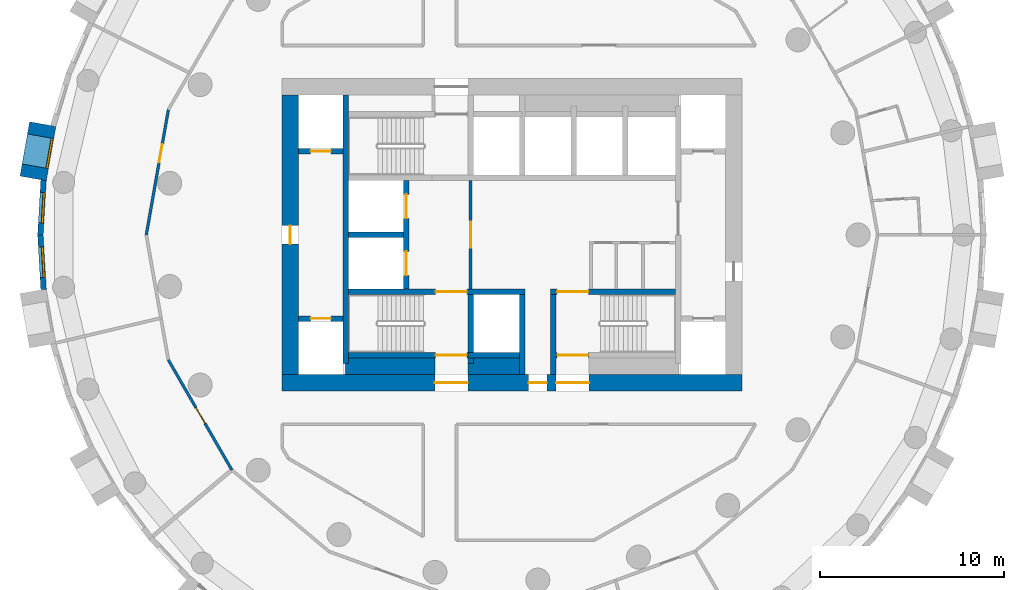
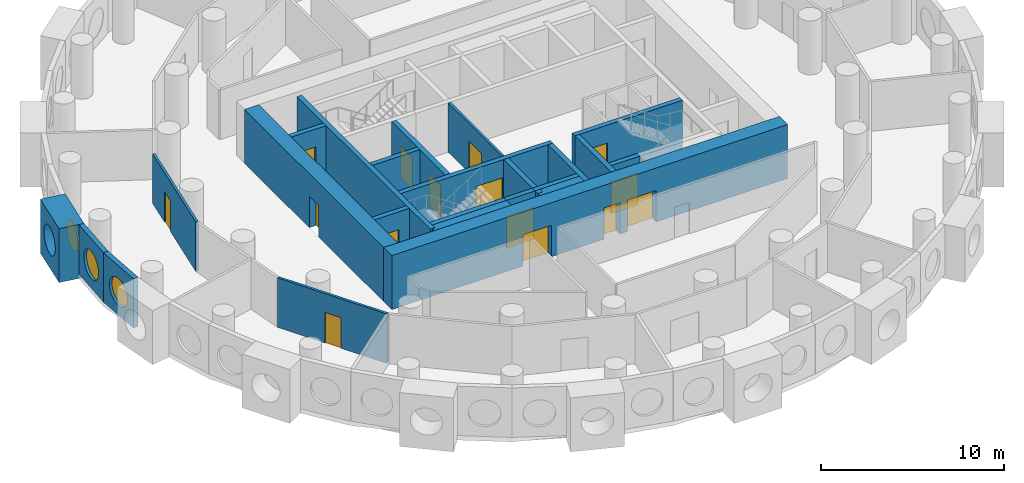
# One storey, part 3 of 9: 24 walls, 15 doors, 3 windows, 18 openings.
"""IFC4 building model written with IfcOpenShell, lengths in metres."""

from ifc_helpers import new_model, si_unit, direction, frame, frame_2d, origin, origin_2d, place, context, subcontext, project, spatial, rectangle, circle, extrude, material, layer, layer_set, type_object, element, fill, save


model = new_model("IFC4")

# Units and contexts
model_context = context("Model", 3, precision=1e-05, world=origin(), true_north=direction((0.0, 1.0)))
body_context = subcontext(model_context, "Body", "Model", "MODEL_VIEW")
ifc_project = project(units=[si_unit("LENGTHUNIT", "METRE"), si_unit("AREAUNIT", "SQUARE_METRE"), si_unit("VOLUMEUNIT", "CUBIC_METRE"), si_unit("PLANEANGLEUNIT", "RADIAN"), si_unit("MASSUNIT", "GRAM", prefix="KILO")], contexts=[model_context])

# Site, building, storey
site_placement = place(None, origin())
site = spatial("IfcSite", under=ifc_project, at=site_placement, CompositionType="ELEMENT")
building_placement = place(site_placement, origin())
building = spatial("IfcBuilding", under=site, at=building_placement, Name="Tracery Tower", CompositionType="ELEMENT")
storey_placement = place(building_placement, frame((0.0, 0.0, 162.0)))
storey = spatial("IfcBuildingStorey", under=building, at=storey_placement, Name="L41", CompositionType="ELEMENT", Elevation=162.0)

# Wall, opening, door
ifc_material_1 = material(Name="Plasterboard on steel studs", Category="steel")
ifc_layer_1 = layer(ifc_material_1, 0.14990234375)
ifc_layer_set_1 = layer_set([ifc_layer_1], Name="Core lobby partition 150")
wall_type_1 = type_object("IfcWallType", Name="Core lobby partition 150", PredefinedType="SOLIDWALL", material=ifc_layer_set_1)
wall_1_placement = place(storey_placement, frame((-2.25, -2.949951171875, 0.0), z_axis=(0.0, 0.0, 1.0), x_axis=(0.0, 1.0, 0.0)))
wall_1 = element("IfcWall", 1, at=wall_1_placement, inside=storey, type_object=wall_type_1, Name="L41 FF lobby E", PredefinedType="SOLIDWALL", context=body_context, shape_type="SweptSolid", body=[
    extrude(rectangle(XDim=5.89990234375, YDim=0.14990234375, at=frame_2d((2.949951171875, 0.0))), origin(), (0.0, 0.0, 1.0), 3.300048828125),
])
opening_1_placement = place(wall_1_placement, frame((2.25, 0.0, 0.0)))
opening_1 = element("IfcOpeningElement", 2, at=opening_1_placement, cuts=wall_1, Name="Opening KD8", PredefinedType="OPENING", context=body_context, shape_type="SweptSolid", body=[
    extrude(rectangle(XDim=1.39990234375, YDim=2.10009765625, at=frame_2d((0.699951171875, 1.050048828125))), frame((0.0, 0.074951171875, 0.0), z_axis=(0.0, -1.0, 0.0), x_axis=(1.0, 0.0, 0.0)), (0.0, 0.0, 1.0), 0.14990234375),
])
ifc_material_2 = material(Name="Steel fire door", Category="steel")
door_type_1 = type_object("IfcDoorType", Name="Core lobby door 1400 double", OperationType="NOTDEFINED", PredefinedType="DOOR", material=ifc_material_2)
door_1_placement = place(opening_1_placement, origin())
door_1 = element("IfcDoor", 3, at=door_1_placement, inside=storey, type_object=door_type_1, Name="Fire-fighting lobby door", OperationType="DOUBLE_DOOR_SINGLE_SWING", OverallHeight=2.10009765625, OverallWidth=1.39990234375, PredefinedType="DOOR", context=body_context, shape_type="SweptSolid", body=[
    extrude(rectangle(XDim=1.39990234375, YDim=2.10009765625, at=frame_2d((0.699951171875, 1.050048828125))), frame((0.0, 0.02490234375, 0.0), z_axis=(0.0, -1.0, 0.0), x_axis=(1.0, 0.0, 0.0)), (0.0, 0.0, 1.0), 0.050048828125),
])
fill(opening_1, door_1)

# Walls
ifc_material_3 = material(Name="Concrete C50/60", Category="concrete")
ifc_layer_2 = layer(ifc_material_3, 0.89990234375)
ifc_layer_set_2 = layer_set([ifc_layer_2], Name="Core strip wall 900 C50")
wall_type_2 = type_object("IfcWallType", Name="Core strip wall 900 C50", PredefinedType="SOLIDWALL", material=ifc_layer_set_2)
wall_2_placement = place(storey_placement, frame((-9.050048828125, -7.14990234375, 0.0), z_axis=(0.0, 0.0, 1.0), x_axis=(1.0, 0.0, 0.0)))
element("IfcWall", 4, at=wall_2_placement, inside=storey, type_object=wall_type_2, Name="L41 F thick S W", PredefinedType="SOLIDWALL", context=body_context, shape_type="SweptSolid", body=[
    extrude(rectangle(XDim=4.85009765625, YDim=0.89990234375, at=frame_2d((2.425048828125, 0.0))), origin(), (0.0, 0.0, 1.0), 3.300048828125),
])
wall_3_placement = place(storey_placement, frame((-2.39990234375, -7.14990234375, 0.0), z_axis=(0.0, 0.0, 1.0), x_axis=(1.0, 0.0, 0.0)))
element("IfcWall", 5, at=wall_3_placement, inside=storey, type_object=wall_type_2, Name="L41 F thick S mid", PredefinedType="SOLIDWALL", context=body_context, shape_type="SweptSolid", body=[
    extrude(rectangle(XDim=2.7998046875, YDim=0.89990234375, at=frame_2d((1.39990234375, 0.0))), origin(), (0.0, 0.0, 1.0), 3.300048828125),
])

# Wall, openings, doors
ifc_material_4 = material(Name="Concrete C50/60", Category="concrete")
ifc_layer_3 = layer(ifc_material_4, 0.89990234375)
ifc_layer_set_3 = layer_set([ifc_layer_3], Name="Core wall 900 C50")
wall_type_3 = type_object("IfcWallType", Name="Core wall 900 C50", PredefinedType="SOLIDWALL", material=ifc_layer_set_3)
wall_4_placement = place(storey_placement, frame((-12.5, -8.050048828125, 0.0), z_axis=(0.0, 0.0, 1.0), x_axis=(1.0, 0.0, 0.0)))
wall_4 = element("IfcWall", 6, at=wall_4_placement, inside=storey, type_object=wall_type_3, Name="L41 outer S", PredefinedType="SOLIDWALL", context=body_context, shape_type="SweptSolid", body=[
    extrude(rectangle(XDim=25.0, YDim=0.89990234375, at=frame_2d((12.5, 0.0))), origin(), (0.0, 0.0, 1.0), 3.60009765625),
])
opening_2_placement = place(wall_4_placement, frame((13.39990234375, 0.0, 0.0)))
opening_2 = element("IfcOpeningElement", 7, at=opening_2_placement, cuts=wall_4, Name="Opening KD16", PredefinedType="OPENING", context=body_context, shape_type="SweptSolid", body=[
    extrude(rectangle(XDim=1.0, YDim=2.10009765625, at=frame_2d((0.5, 1.050048828125))), frame((0.0, 0.449951171875, 0.0), z_axis=(0.0, -1.0, 0.0), x_axis=(1.0, 0.0, 0.0)), (0.0, 0.0, 1.0), 0.89990234375),
])
opening_3_placement = place(wall_4_placement, frame((8.300048828125, 0.0, 0.0)))
opening_3 = element("IfcOpeningElement", 8, at=opening_3_placement, cuts=wall_4, Name="Opening KD13", PredefinedType="OPENING", context=body_context, shape_type="SweptSolid", body=[
    extrude(rectangle(XDim=1.800048828125, YDim=2.10009765625, at=frame_2d((0.89990234375, 1.050048828125))), frame((0.0, 0.449951171875, 0.0), z_axis=(0.0, -1.0, 0.0), x_axis=(1.0, 0.0, 0.0)), (0.0, 0.0, 1.0), 0.89990234375),
])
opening_4_placement = place(wall_4_placement, frame((14.89990234375, 0.0, 0.0)))
opening_4 = element("IfcOpeningElement", 9, at=opening_4_placement, cuts=wall_4, Name="Opening KD13", PredefinedType="OPENING", context=body_context, shape_type="SweptSolid", body=[
    extrude(rectangle(XDim=1.800048828125, YDim=2.10009765625, at=frame_2d((0.89990234375, 1.050048828125))), frame((0.0, 0.449951171875, 0.0), z_axis=(0.0, -1.0, 0.0), x_axis=(1.0, 0.0, 0.0)), (0.0, 0.0, 1.0), 0.89990234375),
])
ifc_material_5 = material(Name="Steel fire door", Category="steel")
door_type_2 = type_object("IfcDoorType", Name="Core exit door 1000", OperationType="NOTDEFINED", PredefinedType="DOOR", material=ifc_material_5)
door_2_placement = place(opening_2_placement, origin())
door_2 = element("IfcDoor", 10, at=door_2_placement, inside=storey, type_object=door_type_2, Name="Core exit door", OperationType="SINGLE_SWING_LEFT", OverallHeight=2.10009765625, OverallWidth=1.0, PredefinedType="DOOR", context=body_context, shape_type="SweptSolid", body=[
    extrude(rectangle(XDim=1.0, YDim=2.10009765625, at=frame_2d((0.5, 1.050048828125))), frame((0.0, 0.02490234375, 0.0), z_axis=(0.0, -1.0, 0.0), x_axis=(1.0, 0.0, 0.0)), (0.0, 0.0, 1.0), 0.050048828125),
])
fill(opening_2, door_2)
ifc_material_6 = material(Name="Steel fire door", Category="steel")
door_type_3 = type_object("IfcDoorType", Name="Core exit door 1800 double", OperationType="NOTDEFINED", PredefinedType="DOOR", material=ifc_material_6)
door_3_placement = place(opening_3_placement, origin())
door_3 = element("IfcDoor", 11, at=door_3_placement, inside=storey, type_object=door_type_3, Name="Core exit door", OperationType="DOUBLE_DOOR_SINGLE_SWING", OverallHeight=2.10009765625, OverallWidth=1.800048828125, PredefinedType="DOOR", context=body_context, shape_type="SweptSolid", body=[
    extrude(rectangle(XDim=1.800048828125, YDim=2.10009765625, at=frame_2d((0.89990234375, 1.050048828125))), frame((0.0, 0.02490234375, 0.0), z_axis=(0.0, -1.0, 0.0), x_axis=(1.0, 0.0, 0.0)), (0.0, 0.0, 1.0), 0.050048828125),
])
fill(opening_3, door_3)
door_4_placement = place(opening_4_placement, origin())
door_4 = element("IfcDoor", 12, at=door_4_placement, inside=storey, type_object=door_type_3, Name="Core exit door", OperationType="DOUBLE_DOOR_SINGLE_SWING", OverallHeight=2.10009765625, OverallWidth=1.800048828125, PredefinedType="DOOR", context=body_context, shape_type="SweptSolid", body=[
    extrude(rectangle(XDim=1.800048828125, YDim=2.10009765625, at=frame_2d((0.89990234375, 1.050048828125))), frame((0.0, 0.02490234375, 0.0), z_axis=(0.0, -1.0, 0.0), x_axis=(1.0, 0.0, 0.0)), (0.0, 0.0, 1.0), 0.050048828125),
])
fill(opening_4, door_4)

# Wall, opening, door
wall_5_placement = place(storey_placement, frame((-12.050048828125, -7.60009765625, 0.0), z_axis=(0.0, 0.0, 1.0), x_axis=(0.0, 1.0, 0.0)))
wall_5 = element("IfcWall", 13, at=wall_5_placement, inside=storey, type_object=wall_type_3, Name="L41 outer W", PredefinedType="SOLIDWALL", context=body_context, shape_type="SweptSolid", body=[
    extrude(rectangle(XDim=15.2001953125, YDim=0.89990234375, at=frame_2d((7.60009765625, 0.0))), origin(), (0.0, 0.0, 1.0), 3.60009765625),
])
opening_5_placement = place(wall_5_placement, frame((7.10009765625, 0.0, 0.0)))
opening_5 = element("IfcOpeningElement", 14, at=opening_5_placement, cuts=wall_5, Name="Opening KD18", PredefinedType="OPENING", context=body_context, shape_type="SweptSolid", body=[
    extrude(rectangle(XDim=1.0, YDim=2.10009765625, at=frame_2d((0.5, 1.050048828125))), frame((0.0, 0.449951171875, 0.0), z_axis=(0.0, -1.0, 0.0), x_axis=(1.0, 0.0, 0.0)), (0.0, 0.0, 1.0), 0.89990234375),
])
door_5_placement = place(opening_5_placement, origin())
door_5 = element("IfcDoor", 15, at=door_5_placement, inside=storey, type_object=door_type_2, Name="Core exit door", OperationType="DOUBLE_DOOR_SINGLE_SWING", OverallHeight=2.10009765625, OverallWidth=1.0, PredefinedType="DOOR", context=body_context, shape_type="SweptSolid", body=[
    extrude(rectangle(XDim=1.0, YDim=2.10009765625, at=frame_2d((0.5, 1.050048828125))), frame((0.0, 0.02490234375, 0.0), z_axis=(0.0, -1.0, 0.0), x_axis=(1.0, 0.0, 0.0)), (0.0, 0.0, 1.0), 0.050048828125),
])
fill(opening_5, door_5)

# Wall, opening, window
ifc_material_7 = material(Name="Precast concrete C50/60", Category="concrete")
ifc_layer_4 = layer(ifc_material_7, 1.449951171875)
ifc_layer_set_4 = layer_set([ifc_layer_4], Name="Deep-set bay unit 3000 x 3600, slab edge 300")
wall_type_4 = type_object("IfcWallType", Name="Deep-set bay unit 3000 x 3600, slab edge 300", PredefinedType="ELEMENTEDWALL", material=ifc_layer_set_4)
wall_6_placement = place(storey_placement, frame((-25.520751953125, 6.023193359375, -0.300048828125), z_axis=(0.0, 0.0, 1.0), x_axis=(-0.173669267716, -0.984804034035, 0.0)))
wall_6 = element("IfcWall", 16, at=wall_6_placement, inside=storey, type_object=wall_type_4, Name="Deep-set bay unit 26 at L41", PredefinedType="ELEMENTEDWALL", context=body_context, shape_type="SweptSolid", body=[
    extrude(rectangle(XDim=3.0, YDim=1.449951171875, at=frame_2d((1.5, 0.0))), origin(), (0.0, 0.0, 1.0), 3.60009765625),
])
opening_6_placement = place(wall_6_placement, frame((1.5, 0.0, 1.85009765625)))
opening_6 = element("IfcOpeningElement", 17, at=opening_6_placement, cuts=wall_6, Name="Opening WN1", PredefinedType="OPENING", context=body_context, shape_type="SweptSolid", body=[
    extrude(circle(Radius=0.9000244140625, at=origin_2d()), frame((0.0, 0.73486328125, 0.0), z_axis=(0.0, -1.0, 0.0), x_axis=(1.0, 0.0, 0.0)), (0.0, 0.0, 1.0), 1.469970703125),
])
ifc_material_8 = material(Name="Aluminium frame with tinted double glazing", Category="aluminium")
window_type = type_object("IfcWindowType", Name="Round window 1800", PartitioningType="SINGLE_PANEL", PredefinedType="WINDOW", material=ifc_material_8)
window_1_placement = place(opening_6_placement, origin())
window_1 = element("IfcWindow", 18, at=window_1_placement, inside=storey, type_object=window_type, Name="Round window 26 at L41", OverallHeight=1.800048828125, OverallWidth=1.800048828125, PartitioningType="SINGLE_PANEL", PredefinedType="WINDOW", context=body_context, shape_type="SweptSolid", body=[
    extrude(circle(Radius=0.9000244140625, at=origin_2d()), frame((0.0, 0.69482421875, 0.0), z_axis=(0.0, -1.0, 0.0), x_axis=(1.0, 0.0, 0.0)), (0.0, 0.0, 1.0), 0.10009765625),
])
fill(opening_6, window_1)

ifc_material_9 = material(Name="Precast concrete C50/60", Category="concrete")
ifc_layer_5 = layer(ifc_material_9, 0.300048828125)
ifc_layer_set_5 = layer_set([ifc_layer_5], Name="Facade panel 3000 x 3300")
wall_type_5 = type_object("IfcWallType", Name="Facade panel 3000 x 3300", PredefinedType="SOLIDWALL", material=ifc_layer_set_5)
wall_7_placement = place(storey_placement, frame((-25.474609375, 2.9677734375, 0.0), z_axis=(0.0, 0.0, 1.0), x_axis=(-0.058144307138, -0.998308188661, 0.0)))
wall_7 = element("IfcWall", 19, at=wall_7_placement, inside=storey, type_object=wall_type_5, Name="Facade panel 27 at L41", PredefinedType="SOLIDWALL", context=body_context, shape_type="SweptSolid", body=[
    extrude(rectangle(XDim=2.972900390625, YDim=0.300048828125, at=frame_2d((1.486328125, 0.0))), origin(), (0.0, 0.0, 1.0), 3.300048828125),
])
opening_7_placement = place(wall_7_placement, frame((1.486328125, 0.0, 1.5498046875)))
opening_7 = element("IfcOpeningElement", 20, at=opening_7_placement, cuts=wall_7, Name="Opening WN1", PredefinedType="OPENING", context=body_context, shape_type="SweptSolid", body=[
    extrude(circle(Radius=0.9000244140625, at=origin_2d()), frame((0.0, 0.159912109375, 0.0), z_axis=(0.0, -1.0, 0.0), x_axis=(1.0, 0.0, 0.0)), (0.0, 0.0, 1.0), 0.320068359375),
])
window_2_placement = place(opening_7_placement, origin())
window_2 = element("IfcWindow", 21, at=window_2_placement, inside=storey, type_object=window_type, Name="Round window 27 at L41", OverallHeight=1.800048828125, OverallWidth=1.800048828125, PartitioningType="SINGLE_PANEL", PredefinedType="WINDOW", context=body_context, shape_type="SweptSolid", body=[
    extrude(circle(Radius=0.9000244140625, at=origin_2d()), frame((0.0, 0.1201171875, 0.0), z_axis=(0.0, -1.0, 0.0), x_axis=(1.0, 0.0, 0.0)), (0.0, 0.0, 1.0), 0.10009765625),
])
fill(opening_7, window_2)

wall_8_placement = place(storey_placement, frame((-25.6474609375, 0.0, 0.0), z_axis=(0.0, 0.0, 1.0), x_axis=(0.058144307138, -0.998308188661, 0.0)))
wall_8 = element("IfcWall", 22, at=wall_8_placement, inside=storey, type_object=wall_type_5, Name="Facade panel 28 at L41", PredefinedType="SOLIDWALL", context=body_context, shape_type="SweptSolid", body=[
    extrude(rectangle(XDim=2.972900390625, YDim=0.300048828125, at=frame_2d((1.486328125, 0.0))), origin(), (0.0, 0.0, 1.0), 3.300048828125),
])
opening_8_placement = place(wall_8_placement, frame((1.486328125, 0.0, 1.5498046875)))
opening_8 = element("IfcOpeningElement", 23, at=opening_8_placement, cuts=wall_8, Name="Opening WN1", PredefinedType="OPENING", context=body_context, shape_type="SweptSolid", body=[
    extrude(circle(Radius=0.9000244140625, at=origin_2d()), frame((0.0, 0.159912109375, 0.0), z_axis=(0.0, -1.0, 0.0), x_axis=(1.0, 0.0, 0.0)), (0.0, 0.0, 1.0), 0.320068359375),
])
window_3_placement = place(opening_8_placement, origin())
window_3 = element("IfcWindow", 24, at=window_3_placement, inside=storey, type_object=window_type, Name="Round window 28 at L41", OverallHeight=1.800048828125, OverallWidth=1.800048828125, PartitioningType="SINGLE_PANEL", PredefinedType="WINDOW", context=body_context, shape_type="SweptSolid", body=[
    extrude(circle(Radius=0.9000244140625, at=origin_2d()), frame((0.0, 0.1201171875, 0.0), z_axis=(0.0, -1.0, 0.0), x_axis=(1.0, 0.0, 0.0)), (0.0, 0.0, 1.0), 0.10009765625),
])
fill(opening_8, window_3)

# Wall, opening, door
ifc_material_10 = material(Name="Plasterboard on steel studs", Category="steel")
ifc_layer_6 = layer(ifc_material_10, 0.14990234375)
ifc_layer_set_6 = layer_set([ifc_layer_6], Name="Partition 150 corridor wall")
wall_type_6 = type_object("IfcWallType", Name="Partition 150 corridor wall", PredefinedType="PARTITIONING", material=ifc_layer_set_6)
wall_9_placement = place(storey_placement, frame((-19.887939453125, 0.0, 0.0), z_axis=(0.0, 0.0, 1.0), x_axis=(0.173728873845, 0.98479352069, 0.0)))
wall_9 = element("IfcWall", 25, at=wall_9_placement, inside=storey, type_object=wall_type_6, Name="Corridor wall RB4-028", PredefinedType="PARTITIONING", context=body_context, shape_type="SweptSolid", body=[
    extrude(rectangle(XDim=6.906982421875, YDim=0.14990234375, at=frame_2d((3.45361328125, 0.0))), origin(), (0.0, 0.0, 1.0), 3.300048828125),
])
opening_9_placement = place(wall_9_placement, frame((4.00390625, 0.0, 0.0)))
opening_9 = element("IfcOpeningElement", 26, at=opening_9_placement, cuts=wall_9, Name="Opening RB4-23", PredefinedType="OPENING", context=body_context, shape_type="SweptSolid", body=[
    extrude(rectangle(XDim=1.0, YDim=2.0400390625, at=frame_2d((0.5, 1.02001953125))), frame((0.0, 0.074951171875, 0.0), z_axis=(0.0, -1.0, 0.0), x_axis=(1.0, 0.0, 0.0)), (0.0, 0.0, 1.0), 0.14990234375),
])
ifc_material_11 = material(Name="Timber door leaf", Category="wood")
door_type_4 = type_object("IfcDoorType", Name="Door communal room 1000", OperationType="NOTDEFINED", PredefinedType="DOOR", material=ifc_material_11)
door_6_placement = place(opening_9_placement, origin())
door_6 = element("IfcDoor", 27, at=door_6_placement, inside=storey, type_object=door_type_4, Name="Communal room door RB4-23", OperationType="SINGLE_SWING_RIGHT", OverallHeight=2.0400390625, OverallWidth=1.0, PredefinedType="DOOR", context=body_context, shape_type="SweptSolid", body=[
    extrude(rectangle(XDim=1.0, YDim=2.0400390625, at=frame_2d((0.5, 1.02001953125))), frame((0.0, 0.02490234375, 0.0), z_axis=(0.0, -1.0, 0.0), x_axis=(1.0, 0.0, 0.0)), (0.0, 0.0, 1.0), 0.050048828125),
])
fill(opening_9, door_6)

wall_10_placement = place(storey_placement, frame((-18.68798828125, -6.802001953125, 0.0), z_axis=(0.0, 0.0, 1.0), x_axis=(0.499914202267, -0.866074933462, 0.0)))
wall_10 = element("IfcWall", 28, at=wall_10_placement, inside=storey, type_object=wall_type_6, Name="Corridor wall RB4-029", PredefinedType="PARTITIONING", context=body_context, shape_type="SweptSolid", body=[
    extrude(rectangle(XDim=6.906982421875, YDim=0.14990234375, at=frame_2d((3.45361328125, 0.0))), origin(), (0.0, 0.0, 1.0), 3.300048828125),
])
opening_10_placement = place(wall_10_placement, frame((3.003173828125, 0.0, 0.0)))
opening_10 = element("IfcOpeningElement", 29, at=opening_10_placement, cuts=wall_10, Name="Opening RB4-24", PredefinedType="OPENING", context=body_context, shape_type="SweptSolid", body=[
    extrude(rectangle(XDim=1.0, YDim=2.0400390625, at=frame_2d((0.5, 1.02001953125))), frame((0.0, 0.074951171875, 0.0), z_axis=(0.0, -1.0, 0.0), x_axis=(1.0, 0.0, 0.0)), (0.0, 0.0, 1.0), 0.14990234375),
])
door_7_placement = place(opening_10_placement, origin())
door_7 = element("IfcDoor", 30, at=door_7_placement, inside=storey, type_object=door_type_4, Name="Communal room door RB4-24", OperationType="SINGLE_SWING_LEFT", OverallHeight=2.0400390625, OverallWidth=1.0, PredefinedType="DOOR", context=body_context, shape_type="SweptSolid", body=[
    extrude(rectangle(XDim=1.0, YDim=2.0400390625, at=frame_2d((0.5, 1.02001953125))), frame((0.0, 0.02490234375, 0.0), z_axis=(0.0, -1.0, 0.0), x_axis=(1.0, 0.0, 0.0)), (0.0, 0.0, 1.0), 0.050048828125),
])
fill(opening_10, door_7)

# Wall
ifc_material_12 = material(Name="Concrete C50/60", Category="concrete")
ifc_layer_7 = layer(ifc_material_12, 0.300048828125)
ifc_layer_set_7 = layer_set([ifc_layer_7], Name="Shaft wall 300 C50")
wall_type_7 = type_object("IfcWallType", Name="Shaft wall 300 C50", PredefinedType="SOLIDWALL", material=ifc_layer_set_7)
wall_11_placement = place(storey_placement, frame((-8.89990234375, 0.0, 0.0), z_axis=(0.0, 0.0, 1.0), x_axis=(1.0, 0.0, 0.0)))
element("IfcWall", 31, at=wall_11_placement, inside=storey, type_object=wall_type_7, Name="L41 FF split", PredefinedType="SOLIDWALL", context=body_context, shape_type="SweptSolid", body=[
    extrude(rectangle(XDim=3.0, YDim=0.300048828125, at=frame_2d((1.5, 0.0))), origin(), (0.0, 0.0, 1.0), 3.300048828125),
])

# Wall, openings, doors
wall_12_placement = place(storey_placement, frame((-5.75, -2.949951171875, 0.0), z_axis=(0.0, 0.0, 1.0), x_axis=(0.0, 1.0, 0.0)))
wall_12 = element("IfcWall", 32, at=wall_12_placement, inside=storey, type_object=wall_type_7, Name="L41 FF doors", PredefinedType="SOLIDWALL", context=body_context, shape_type="SweptSolid", body=[
    extrude(rectangle(XDim=5.89990234375, YDim=0.300048828125, at=frame_2d((2.949951171875, 0.0))), origin(), (0.0, 0.0, 1.0), 3.300048828125),
])
opening_11_placement = place(wall_12_placement, frame((0.75, 0.0, 0.0)))
opening_11 = element("IfcOpeningElement", 33, at=opening_11_placement, cuts=wall_12, Name="Opening KD54", PredefinedType="OPENING", context=body_context, shape_type="SweptSolid", body=[
    extrude(rectangle(XDim=1.300048828125, YDim=2.10009765625, at=frame_2d((0.64990234375, 1.050048828125))), frame((0.0, 0.14990234375, 0.0), z_axis=(0.0, -1.0, 0.0), x_axis=(1.0, 0.0, 0.0)), (0.0, 0.0, 1.0), 0.300048828125),
])
opening_12_placement = place(wall_12_placement, frame((3.85009765625, 0.0, 0.0)))
opening_12 = element("IfcOpeningElement", 34, at=opening_12_placement, cuts=wall_12, Name="Opening KD55", PredefinedType="OPENING", context=body_context, shape_type="SweptSolid", body=[
    extrude(rectangle(XDim=1.300048828125, YDim=2.10009765625, at=frame_2d((0.64990234375, 1.050048828125))), frame((0.0, 0.14990234375, 0.0), z_axis=(0.0, -1.0, 0.0), x_axis=(1.0, 0.0, 0.0)), (0.0, 0.0, 1.0), 0.300048828125),
])
ifc_material_13 = material(Name="Steel fire door", Category="steel")
door_type_5 = type_object("IfcDoorType", Name="Landing door FF 1300", OperationType="NOTDEFINED", PredefinedType="DOOR", material=ifc_material_13)
door_8_placement = place(opening_11_placement, origin())
door_8 = element("IfcDoor", 35, at=door_8_placement, inside=storey, type_object=door_type_5, Name="Landing door FF1", OperationType="SLIDING_TO_LEFT", OverallHeight=2.10009765625, OverallWidth=1.300048828125, PredefinedType="DOOR", context=body_context, shape_type="SweptSolid", body=[
    extrude(rectangle(XDim=1.300048828125, YDim=2.10009765625, at=frame_2d((0.64990234375, 1.050048828125))), frame((0.0, 0.02490234375, 0.0), z_axis=(0.0, -1.0, 0.0), x_axis=(1.0, 0.0, 0.0)), (0.0, 0.0, 1.0), 0.050048828125),
])
fill(opening_11, door_8)
door_9_placement = place(opening_12_placement, origin())
door_9 = element("IfcDoor", 36, at=door_9_placement, inside=storey, type_object=door_type_5, Name="Landing door FF2", OperationType="SLIDING_TO_RIGHT", OverallHeight=2.10009765625, OverallWidth=1.300048828125, PredefinedType="DOOR", context=body_context, shape_type="SweptSolid", body=[
    extrude(rectangle(XDim=1.300048828125, YDim=2.10009765625, at=frame_2d((0.64990234375, 1.050048828125))), frame((0.0, 0.02490234375, 0.0), z_axis=(0.0, -1.0, 0.0), x_axis=(1.0, 0.0, 0.0)), (0.0, 0.0, 1.0), 0.050048828125),
])
fill(opening_12, door_9)

# Wall
wall_13_placement = place(storey_placement, frame((0.550048828125, -7.60009765625, 0.0), z_axis=(0.0, 0.0, 1.0), x_axis=(0.0, 1.0, 0.0)))
element("IfcWall", 37, at=wall_13_placement, inside=storey, type_object=wall_type_7, Name="L41 OB2 E", PredefinedType="SOLIDWALL", context=body_context, shape_type="SweptSolid", body=[
    extrude(rectangle(XDim=4.35009765625, YDim=0.300048828125, at=frame_2d((2.175048828125, 0.0))), origin(), (0.0, 0.0, 1.0), 3.300048828125),
])

# Wall, opening, door
wall_14_placement = place(storey_placement, frame((-11.60009765625, -4.550048828125, 0.0), z_axis=(0.0, 0.0, 1.0), x_axis=(1.0, 0.0, 0.0)))
wall_14 = element("IfcWall", 38, at=wall_14_placement, inside=storey, type_object=wall_type_7, Name="L41 MR W -4.55", PredefinedType="SOLIDWALL", context=body_context, shape_type="SweptSolid", body=[
    extrude(rectangle(XDim=2.400146484375, YDim=0.300048828125, at=frame_2d((1.2001953125, 0.0))), origin(), (0.0, 0.0, 1.0), 3.300048828125),
])
opening_13_placement = place(wall_14_placement, frame((0.64990234375, 0.0, 0.0)))
opening_13 = element("IfcOpeningElement", 39, at=opening_13_placement, cuts=wall_14, Name="Opening KD50", PredefinedType="OPENING", context=body_context, shape_type="SweptSolid", body=[
    extrude(rectangle(XDim=1.10009765625, YDim=2.10009765625, at=frame_2d((0.550048828125, 1.050048828125))), frame((0.0, 0.14990234375, 0.0), z_axis=(0.0, -1.0, 0.0), x_axis=(1.0, 0.0, 0.0)), (0.0, 0.0, 1.0), 0.300048828125),
])
ifc_material_14 = material(Name="Steel fire door", Category="steel")
door_type_6 = type_object("IfcDoorType", Name="Landing door 1100", OperationType="NOTDEFINED", PredefinedType="DOOR", material=ifc_material_14)
door_10_placement = place(opening_13_placement, origin())
door_10 = element("IfcDoor", 40, at=door_10_placement, inside=storey, type_object=door_type_6, Name="Landing door MR1", OperationType="SLIDING_TO_RIGHT", OverallHeight=2.10009765625, OverallWidth=1.10009765625, PredefinedType="DOOR", context=body_context, shape_type="SweptSolid", body=[
    extrude(rectangle(XDim=1.10009765625, YDim=2.10009765625, at=frame_2d((0.550048828125, 1.050048828125))), frame((0.0, 0.02490234375, 0.0), z_axis=(0.0, -1.0, 0.0), x_axis=(1.0, 0.0, 0.0)), (0.0, 0.0, 1.0), 0.050048828125),
])
fill(opening_13, door_10)

wall_15_placement = place(storey_placement, frame((-11.60009765625, 4.550048828125, 0.0), z_axis=(0.0, 0.0, 1.0), x_axis=(1.0, 0.0, 0.0)))
wall_15 = element("IfcWall", 41, at=wall_15_placement, inside=storey, type_object=wall_type_7, Name="L41 MR W +4.55", PredefinedType="SOLIDWALL", context=body_context, shape_type="SweptSolid", body=[
    extrude(rectangle(XDim=2.400146484375, YDim=0.300048828125, at=frame_2d((1.2001953125, 0.0))), origin(), (0.0, 0.0, 1.0), 3.300048828125),
])
opening_14_placement = place(wall_15_placement, frame((0.64990234375, 0.0, 0.0)))
opening_14 = element("IfcOpeningElement", 42, at=opening_14_placement, cuts=wall_15, Name="Opening KD49", PredefinedType="OPENING", context=body_context, shape_type="SweptSolid", body=[
    extrude(rectangle(XDim=1.10009765625, YDim=2.10009765625, at=frame_2d((0.550048828125, 1.050048828125))), frame((0.0, 0.14990234375, 0.0), z_axis=(0.0, -1.0, 0.0), x_axis=(1.0, 0.0, 0.0)), (0.0, 0.0, 1.0), 0.300048828125),
])
door_11_placement = place(opening_14_placement, origin())
door_11 = element("IfcDoor", 43, at=door_11_placement, inside=storey, type_object=door_type_6, Name="Landing door MR2", OperationType="SLIDING_TO_LEFT", OverallHeight=2.10009765625, OverallWidth=1.10009765625, PredefinedType="DOOR", context=body_context, shape_type="SweptSolid", body=[
    extrude(rectangle(XDim=1.10009765625, YDim=2.10009765625, at=frame_2d((0.550048828125, 1.050048828125))), frame((0.0, 0.02490234375, 0.0), z_axis=(0.0, -1.0, 0.0), x_axis=(1.0, 0.0, 0.0)), (0.0, 0.0, 1.0), 0.050048828125),
])
fill(opening_14, door_11)

ifc_material_15 = material(Name="Concrete C50/60", Category="concrete")
ifc_layer_8 = layer(ifc_material_15, 0.300048828125)
ifc_layer_set_8 = layer_set([ifc_layer_8], Name="Stair wall 300 C50")
wall_type_8 = type_object("IfcWallType", Name="Stair wall 300 C50", PredefinedType="SOLIDWALL", material=ifc_layer_set_8)
wall_16_placement = place(storey_placement, frame((-8.89990234375, -3.10009765625, 0.0), z_axis=(0.0, 0.0, 1.0), x_axis=(1.0, 0.0, 0.0)))
wall_16 = element("IfcWall", 44, at=wall_16_placement, inside=storey, type_object=wall_type_8, Name="L41 row S", PredefinedType="SOLIDWALL", context=body_context, shape_type="SweptSolid", body=[
    extrude(rectangle(XDim=9.599853515625, YDim=0.300048828125, at=frame_2d((4.7998046875, 0.0))), origin(), (0.0, 0.0, 1.0), 3.300048828125),
])
opening_15_placement = place(wall_16_placement, frame((4.75, 0.0, 0.0)))
opening_15 = element("IfcOpeningElement", 45, at=opening_15_placement, cuts=wall_16, Name="Opening KD3", PredefinedType="OPENING", context=body_context, shape_type="SweptSolid", body=[
    extrude(rectangle(XDim=1.699951171875, YDim=2.10009765625, at=frame_2d((0.85009765625, 1.050048828125))), frame((0.0, 0.14990234375, 0.0), z_axis=(0.0, -1.0, 0.0), x_axis=(1.0, 0.0, 0.0)), (0.0, 0.0, 1.0), 0.300048828125),
])
ifc_material_16 = material(Name="Steel fire door", Category="steel")
door_type_7 = type_object("IfcDoorType", Name="Core stair door 1700 double", OperationType="NOTDEFINED", PredefinedType="DOOR", material=ifc_material_16)
door_12_placement = place(opening_15_placement, origin())
door_12 = element("IfcDoor", 46, at=door_12_placement, inside=storey, type_object=door_type_7, Name="Stair door ST1", OperationType="DOUBLE_DOOR_SINGLE_SWING", OverallHeight=2.10009765625, OverallWidth=1.699951171875, PredefinedType="DOOR", context=body_context, shape_type="SweptSolid", body=[
    extrude(rectangle(XDim=1.699951171875, YDim=2.10009765625, at=frame_2d((0.85009765625, 1.050048828125))), frame((0.0, 0.02490234375, 0.0), z_axis=(0.0, -1.0, 0.0), x_axis=(1.0, 0.0, 0.0)), (0.0, 0.0, 1.0), 0.050048828125),
])
fill(opening_15, door_12)

wall_17_placement = place(storey_placement, frame((2.10009765625, -3.10009765625, 0.0), z_axis=(0.0, 0.0, 1.0), x_axis=(1.0, 0.0, 0.0)))
wall_17 = element("IfcWall", 47, at=wall_17_placement, inside=storey, type_object=wall_type_8, Name="L41 row S E", PredefinedType="SOLIDWALL", context=body_context, shape_type="SweptSolid", body=[
    extrude(rectangle(XDim=6.7998046875, YDim=0.300048828125, at=frame_2d((3.39990234375, 0.0))), origin(), (0.0, 0.0, 1.0), 3.300048828125),
])
opening_16_placement = place(wall_17_placement, frame((0.35009765625, 0.0, 0.0)))
opening_16 = element("IfcOpeningElement", 48, at=opening_16_placement, cuts=wall_17, Name="Opening KD3", PredefinedType="OPENING", context=body_context, shape_type="SweptSolid", body=[
    extrude(rectangle(XDim=1.699951171875, YDim=2.10009765625, at=frame_2d((0.85009765625, 1.050048828125))), frame((0.0, 0.14990234375, 0.0), z_axis=(0.0, -1.0, 0.0), x_axis=(1.0, 0.0, 0.0)), (0.0, 0.0, 1.0), 0.300048828125),
])
door_13_placement = place(opening_16_placement, origin())
door_13 = element("IfcDoor", 49, at=door_13_placement, inside=storey, type_object=door_type_7, Name="Stair door ST2", OperationType="DOUBLE_DOOR_SINGLE_SWING", OverallHeight=2.10009765625, OverallWidth=1.699951171875, PredefinedType="DOOR", context=body_context, shape_type="SweptSolid", body=[
    extrude(rectangle(XDim=1.699951171875, YDim=2.10009765625, at=frame_2d((0.85009765625, 1.050048828125))), frame((0.0, 0.02490234375, 0.0), z_axis=(0.0, -1.0, 0.0), x_axis=(1.0, 0.0, 0.0)), (0.0, 0.0, 1.0), 0.050048828125),
])
fill(opening_16, door_13)

# Walls
wall_18_placement = place(storey_placement, frame((-2.25, -7.0, 0.0), z_axis=(0.0, 0.0, 1.0), x_axis=(0.0, 1.0, 0.0)))
element("IfcWall", 50, at=wall_18_placement, inside=storey, type_object=wall_type_8, Name="L41 ST1 E", PredefinedType="SOLIDWALL", context=body_context, shape_type="SweptSolid", body=[
    extrude(rectangle(XDim=3.75, YDim=0.300048828125, at=frame_2d((1.875, 0.0))), origin(), (0.0, 0.0, 1.0), 3.300048828125),
])
wall_19_placement = place(storey_placement, frame((2.25, -7.60009765625, 0.0), z_axis=(0.0, 0.0, 1.0), x_axis=(0.0, 1.0, 0.0)))
element("IfcWall", 51, at=wall_19_placement, inside=storey, type_object=wall_type_8, Name="L41 ST2 W", PredefinedType="SOLIDWALL", context=body_context, shape_type="SweptSolid", body=[
    extrude(rectangle(XDim=4.35009765625, YDim=0.300048828125, at=frame_2d((2.175048828125, 0.0))), origin(), (0.0, 0.0, 1.0), 3.300048828125),
])
wall_20_placement = place(storey_placement, frame((-9.050048828125, -7.0, 0.0), z_axis=(0.0, 0.0, 1.0), x_axis=(0.0, 1.0, 0.0)))
element("IfcWall", 52, at=wall_20_placement, inside=storey, type_object=wall_type_8, Name="L41 F wall -9", PredefinedType="SOLIDWALL", context=body_context, shape_type="SweptSolid", body=[
    extrude(rectangle(XDim=14.60009765625, YDim=0.300048828125, at=frame_2d((7.300048828125, 0.0))), origin(), (0.0, 0.0, 1.0), 3.300048828125),
])
wall_21_placement = place(storey_placement, frame((-8.89990234375, -6.550048828125, 0.0), z_axis=(0.0, 0.0, 1.0), x_axis=(1.0, 0.0, 0.0)))
element("IfcWall", 53, at=wall_21_placement, inside=storey, type_object=wall_type_8, Name="L41 F stair strip S W", PredefinedType="SOLIDWALL", context=body_context, shape_type="SweptSolid", body=[
    extrude(rectangle(XDim=4.699951171875, YDim=0.300048828125, at=frame_2d((2.35009765625, 0.0))), origin(), (0.0, 0.0, 1.0), 3.300048828125),
])
wall_22_placement = place(storey_placement, frame((-2.39990234375, -6.550048828125, 0.0), z_axis=(0.0, 0.0, 1.0), x_axis=(1.0, 0.0, 0.0)))
element("IfcWall", 54, at=wall_22_placement, inside=storey, type_object=wall_type_8, Name="L41 F stair strip S mid", PredefinedType="SOLIDWALL", context=body_context, shape_type="SweptSolid", body=[
    extrude(rectangle(XDim=2.7998046875, YDim=0.300048828125, at=frame_2d((1.39990234375, 0.0))), origin(), (0.0, 0.0, 1.0), 3.300048828125),
])

# Wall, opening, door
wall_23_placement = place(storey_placement, frame((-4.199951171875, -6.550048828125, 0.0), z_axis=(0.0, 0.0, 1.0), x_axis=(1.0, 0.0, 0.0)))
wall_23 = element("IfcWall", 55, at=wall_23_placement, inside=storey, type_object=wall_type_8, Name="L41 F stair S W", PredefinedType="SOLIDWALL", context=body_context, shape_type="SweptSolid", body=[
    extrude(rectangle(XDim=1.800048828125, YDim=0.300048828125, at=frame_2d((0.89990234375, 0.0))), origin(), (0.0, 0.0, 1.0), 3.300048828125),
])
opening_17_placement = place(wall_23_placement, frame((0.050048828125, 0.0, 0.0)))
opening_17 = element("IfcOpeningElement", 56, at=opening_17_placement, cuts=wall_23, Name="Opening KD3", PredefinedType="OPENING", context=body_context, shape_type="SweptSolid", body=[
    extrude(rectangle(XDim=1.699951171875, YDim=2.10009765625, at=frame_2d((0.85009765625, 1.050048828125))), frame((0.0, 0.14990234375, 0.0), z_axis=(0.0, -1.0, 0.0), x_axis=(1.0, 0.0, 0.0)), (0.0, 0.0, 1.0), 0.300048828125),
])
door_14_placement = place(opening_17_placement, origin())
door_14 = element("IfcDoor", 57, at=door_14_placement, inside=storey, type_object=door_type_7, Name="Stair door vest", OperationType="DOUBLE_DOOR_SINGLE_SWING", OverallHeight=2.10009765625, OverallWidth=1.699951171875, PredefinedType="DOOR", context=body_context, shape_type="SweptSolid", body=[
    extrude(rectangle(XDim=1.699951171875, YDim=2.10009765625, at=frame_2d((0.85009765625, 1.050048828125))), frame((0.0, 0.02490234375, 0.0), z_axis=(0.0, -1.0, 0.0), x_axis=(1.0, 0.0, 0.0)), (0.0, 0.0, 1.0), 0.050048828125),
])
fill(opening_17, door_14)

wall_24_placement = place(storey_placement, frame((2.39990234375, -6.550048828125, 0.0), z_axis=(0.0, 0.0, 1.0), x_axis=(1.0, 0.0, 0.0)))
wall_24 = element("IfcWall", 58, at=wall_24_placement, inside=storey, type_object=wall_type_8, Name="L41 F stair S E", PredefinedType="SOLIDWALL", context=body_context, shape_type="SweptSolid", body=[
    extrude(rectangle(XDim=1.800048828125, YDim=0.300048828125, at=frame_2d((0.89990234375, 0.0))), origin(), (0.0, 0.0, 1.0), 3.300048828125),
])
opening_18_placement = place(wall_24_placement, frame((0.050048828125, 0.0, 0.0)))
opening_18 = element("IfcOpeningElement", 59, at=opening_18_placement, cuts=wall_24, Name="Opening KD3", PredefinedType="OPENING", context=body_context, shape_type="SweptSolid", body=[
    extrude(rectangle(XDim=1.699951171875, YDim=2.10009765625, at=frame_2d((0.85009765625, 1.050048828125))), frame((0.0, 0.14990234375, 0.0), z_axis=(0.0, -1.0, 0.0), x_axis=(1.0, 0.0, 0.0)), (0.0, 0.0, 1.0), 0.300048828125),
])
door_15_placement = place(opening_18_placement, origin())
door_15 = element("IfcDoor", 60, at=door_15_placement, inside=storey, type_object=door_type_7, Name="Stair door vest", OperationType="DOUBLE_DOOR_SINGLE_SWING", OverallHeight=2.10009765625, OverallWidth=1.699951171875, PredefinedType="DOOR", context=body_context, shape_type="SweptSolid", body=[
    extrude(rectangle(XDim=1.699951171875, YDim=2.10009765625, at=frame_2d((0.85009765625, 1.050048828125))), frame((0.0, 0.02490234375, 0.0), z_axis=(0.0, -1.0, 0.0), x_axis=(1.0, 0.0, 0.0)), (0.0, 0.0, 1.0), 0.050048828125),
])
fill(opening_18, door_15)

save(model, "model.ifc")
